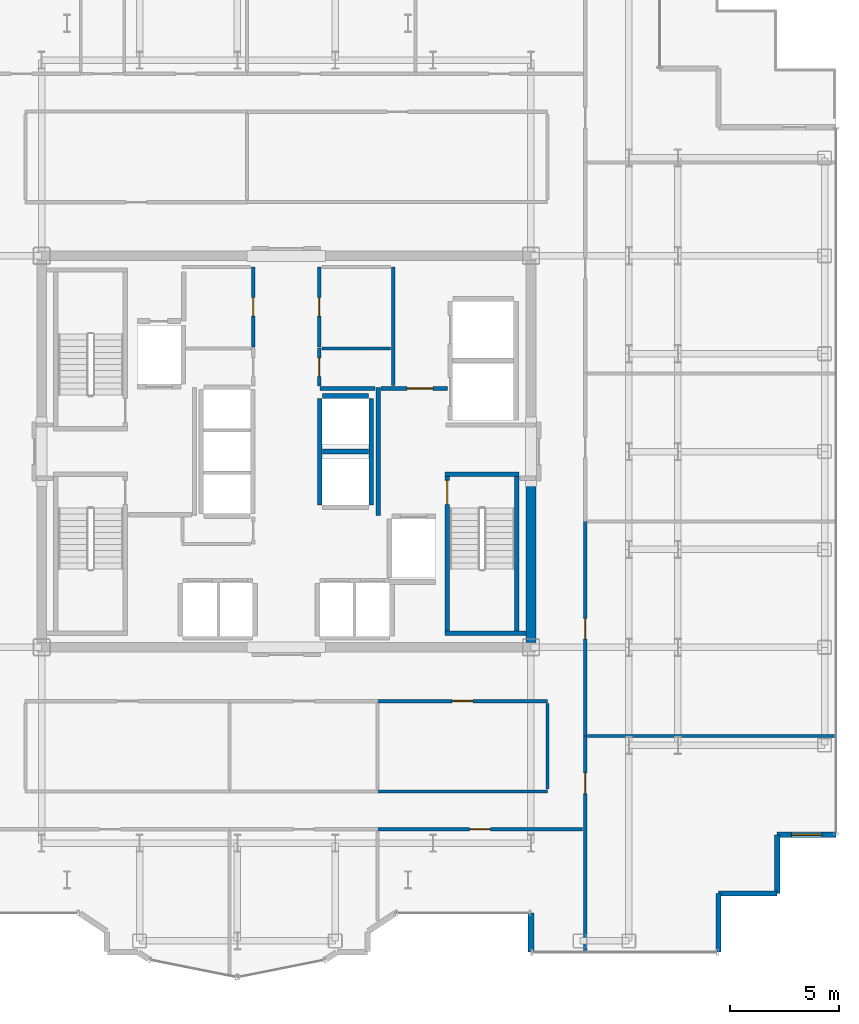
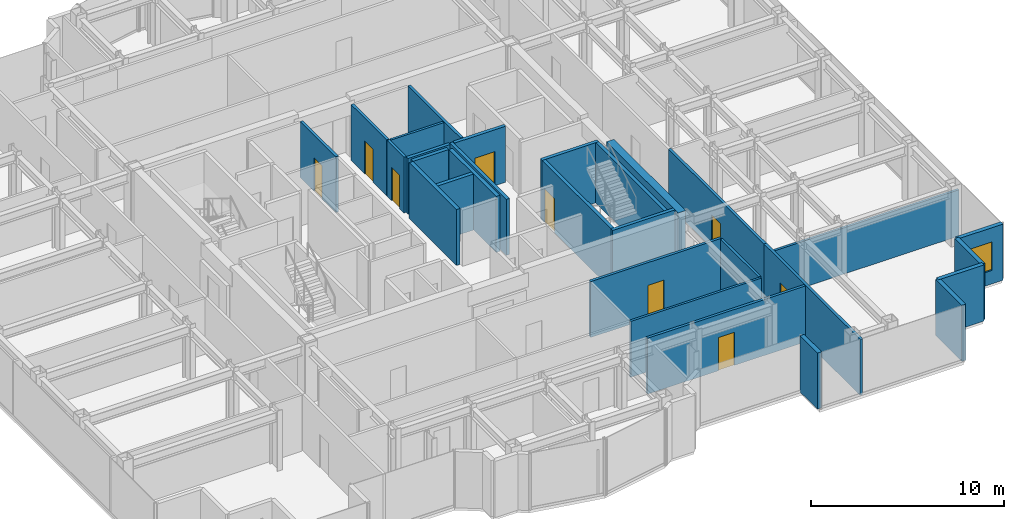
# One storey, part 16 of 20: 29 walls, 9 doors, 1 window, 10 openings.
"""IFC4 building model written with IfcOpenShell, lengths in metres."""

from ifc_helpers import new_model, si_unit, direction, frame, frame_2d, origin, place, context, subcontext, project, spatial, rectangle, extrude, source, transform, mapped, material, layer, layer_set, type_object, element, fill, save


model = new_model("IFC4")

# Units and contexts
model_context = context("Model", 3, precision=1e-05, world=origin(), true_north=direction((0.0, 1.0)))
body_context = subcontext(model_context, "Body", "Model", "MODEL_VIEW")
ifc_project = project(units=[si_unit("LENGTHUNIT", "METRE"), si_unit("AREAUNIT", "SQUARE_METRE"), si_unit("VOLUMEUNIT", "CUBIC_METRE"), si_unit("PLANEANGLEUNIT", "RADIAN"), si_unit("MASSUNIT", "GRAM", prefix="KILO")], contexts=[model_context])

# Site, building, storey
site_placement = place(None, origin())
site = spatial("IfcSite", under=ifc_project, at=site_placement, CompositionType="ELEMENT")
building_placement = place(site_placement, origin())
building = spatial("IfcBuilding", under=site, at=building_placement, Name="Nefas-Gora Pilgrimage Tower", CompositionType="ELEMENT")
storey_placement = place(building_placement, frame((0.0, 0.0, 221.800048828125)))
storey = spatial("IfcBuildingStorey", under=building, at=storey_placement, Name="L55", CompositionType="ELEMENT", Elevation=221.800048828125)

# Walls
ifc_material_1 = material(Name="Concrete C50/60", Category="concrete")
ifc_layer_1 = layer(ifc_material_1, 0.449951171875)
ifc_layer_set_1 = layer_set([ifc_layer_1], Name="Concrete C50/60")
wall_type_1 = type_object("IfcWallType", Name="SW-CORE-450", PredefinedType="SHEAR", material=ifc_layer_set_1)
shared_shape_1 = source(origin(), body_context, "Body", "SweptSolid", [
    extrude(rectangle(XDim=7.4248046875, YDim=0.449951171875, at=frame_2d((3.71240234375, 0.0))), origin(), (0.0, 0.0, 1.0), 3.800048828125),
])
wall_1_placement = place(storey_placement, frame((11.25, -8.77490234375, 0.0), z_axis=(0.0, 0.0, 1.0), x_axis=(0.0, 1.0, 0.0)))
element("IfcWall", 1, at=wall_1_placement, inside=storey, type_object=wall_type_1, Name="L55 Core Shear Wall E-South", PredefinedType="SHEAR", context=body_context, shape_type="MappedRepresentation", body=[
    mapped(shared_shape_1, transform((0.0, 0.0, 0.0), x_axis=(1.0, 0.0, 0.0), y_axis=(0.0, 1.0, 0.0), z_axis=(0.0, 0.0, 1.0), scale=1.0)),
])
ifc_material_2 = material(Name="Precast concrete C40/50", Category="concrete")
ifc_layer_2 = layer(ifc_material_2, 0.260009765625)
ifc_layer_set_2 = layer_set([ifc_layer_2], Name="Precast concrete C40/50")
wall_type_2 = type_object("IfcWallType", Name="EW-PORTAL-260", PredefinedType="SOLIDWALL", material=ifc_layer_set_2)
shared_shape_2 = source(origin(), body_context, "Body", "SweptSolid", [
    extrude(rectangle(XDim=1.800048828125, YDim=0.260009765625, at=frame_2d((0.89990234375, 0.0))), origin(), (0.0, 0.0, 1.0), 3.550048828125),
])
wall_2_placement = place(storey_placement, frame((11.25, -21.219970703125, 0.0), z_axis=(0.0, 0.0, 1.0), x_axis=(0.0, -1.0, 0.0)))
element("IfcWall", 2, at=wall_2_placement, inside=storey, type_object=wall_type_2, Name="L55 Lobe Shoulder Precast Spandrel Pier 1", PredefinedType="SOLIDWALL", context=body_context, shape_type="MappedRepresentation", body=[
    mapped(shared_shape_2, transform((0.0, 0.0, 0.0), x_axis=(1.0, 0.0, 0.0), y_axis=(0.0, 1.0, 0.0), z_axis=(0.0, 0.0, 1.0), scale=1.0)),
])
ifc_material_3 = material(Name="Precast concrete C45/55", Category="concrete")
ifc_layer_3 = layer(ifc_material_3, 0.239990234375)
ifc_layer_set_3 = layer_set([ifc_layer_3], Name="Precast concrete C45/55")
wall_type_3 = type_object("IfcWallType", Name="EW-SERR-240", PredefinedType="SHEAR", material=ifc_layer_set_3)
shared_shape_3 = source(origin(), body_context, "Body", "SweptSolid", [
    extrude(rectangle(XDim=2.699951171875, YDim=0.239990234375, at=frame_2d((1.35009765625, 0.0))), origin(), (0.0, 0.0, 1.0), 3.550048828125),
])
for number, where, z_axis, x_axis, name in (
    (3, (19.8701171875, -23.02001953125, 0.0), (0.0, 0.0, 1.0), (0.0, 1.0, 0.0), "L55 Serrated Corner Shear Pier Wall 2"),
    (4, (19.8701171875, -20.320068359375, 0.0), (0.0, 0.0, 1.0), (1.0, 0.0, 0.0), "L55 Serrated Corner Shear Pier Wall 3"),
    (5, (22.570068359375, -20.320068359375, 0.0), (0.0, 0.0, 1.0), (0.0, 1.0, 0.0), "L55 Serrated Corner Shear Pier Wall 4"),
):
    element("IfcWall", number, at=place(storey_placement, frame(where, z_axis=z_axis, x_axis=x_axis)), inside=storey, type_object=wall_type_3, Name=name, PredefinedType="SHEAR", context=body_context, shape_type="MappedRepresentation", body=[
        mapped(shared_shape_3, transform((0.0, 0.0, 0.0), x_axis=(1.0, 0.0, 0.0), y_axis=(0.0, 1.0, 0.0), z_axis=(0.0, 0.0, 1.0), scale=1.0)),
    ])

# Wall, opening, window
wall_3_placement = place(storey_placement, frame((22.570068359375, -17.6201171875, 0.0), z_axis=(0.0, 0.0, 1.0), x_axis=(1.0, 0.0, 0.0)))
wall_3 = element("IfcWall", 6, at=wall_3_placement, inside=storey, type_object=wall_type_3, Name="L55 Serrated Corner Shear Pier Wall 5", PredefinedType="SHEAR", context=body_context, shape_type="MappedRepresentation", body=[
    mapped(shared_shape_3, transform((0.0, 0.0, 0.0), x_axis=(1.0, 0.0, 0.0), y_axis=(0.0, 1.0, 0.0), z_axis=(0.0, 0.0, 1.0), scale=1.0)),
])
opening_1_placement = place(wall_3_placement, frame((0.64990234375, 0.0, 0.85009765625)))
opening_1 = element("IfcOpeningElement", 7, at=opening_1_placement, cuts=wall_3, Name="Opening W-V2", PredefinedType="OPENING", context=body_context, shape_type="SweptSolid", body=[
    extrude(rectangle(XDim=1.39990234375, YDim=1.800048828125, at=frame_2d((0.699951171875, 0.89990234375))), frame((0.0, 0.1298828125, 0.0), z_axis=(0.0, -1.0, 0.0), x_axis=(1.0, 0.0, 0.0)), (0.0, 0.0, 1.0), 0.260009765625),
])
ifc_material_4 = material(Name="Dark ceramic-fritted operable aluminium-glass window", Category="aluminium")
window_type = type_object("IfcWindowType", Name="WIN-VENT-1400x1800", PartitioningType="SINGLE_PANEL", PredefinedType="WINDOW", material=ifc_material_4)
shared_shape_4 = source(origin(), body_context, "Body", "SweptSolid", [
    extrude(rectangle(XDim=1.39990234375, YDim=1.800048828125, at=frame_2d((0.699951171875, 0.89990234375))), frame((0.0, 0.030029296875, 0.0), z_axis=(0.0, -1.0, 0.0), x_axis=(1.0, 0.0, 0.0)), (0.0, 0.0, 1.0), 0.06005859375),
])
window_placement = place(opening_1_placement, origin())
window = element("IfcWindow", 8, at=window_placement, inside=storey, type_object=window_type, Name="L55 Operable Parallel-Outswing Window 5", OverallHeight=1.800048828125, OverallWidth=1.39990234375, PartitioningType="SINGLE_PANEL", PredefinedType="WINDOW", context=body_context, shape_type="MappedRepresentation", body=[
    mapped(shared_shape_4, transform((0.0, 0.0, 0.0), x_axis=(1.0, 0.0, 0.0), y_axis=(0.0, 1.0, 0.0), z_axis=(0.0, 0.0, 1.0), scale=1.0)),
])
fill(opening_1, window)

# Wall
ifc_material_5 = material(Name="Concrete C45/55", Category="concrete")
ifc_layer_4 = layer(ifc_material_5, 0.199951171875)
ifc_layer_set_4 = layer_set([ifc_layer_4], Name="Concrete C45/55")
wall_type_4 = type_object("IfcWallType", Name="IW-STAIR-200", PredefinedType="SOLIDWALL", material=ifc_layer_set_4)
shared_shape_5 = source(origin(), body_context, "Body", "SweptSolid", [
    extrude(rectangle(XDim=3.39990234375, YDim=0.199951171875, at=frame_2d((1.699951171875, 0.0))), origin(), (0.0, 0.0, 1.0), 3.800048828125),
])
wall_4_placement = place(storey_placement, frame((7.300048828125, -1.050048828125, 0.0), z_axis=(0.0, 0.0, 1.0), x_axis=(1.0, 0.0, 0.0)))
element("IfcWall", 9, at=wall_4_placement, inside=storey, type_object=wall_type_4, Name="L55 Stairwell Shear Wall ST-02-near", PredefinedType="SOLIDWALL", context=body_context, shape_type="MappedRepresentation", body=[
    mapped(shared_shape_5, transform((0.0, 0.0, 0.0), x_axis=(1.0, 0.0, 0.0), y_axis=(0.0, 1.0, 0.0), z_axis=(0.0, 0.0, 1.0), scale=1.0)),
])

# Wall, opening, door
shared_shape_6 = source(origin(), body_context, "Body", "SweptSolid", [
    extrude(rectangle(XDim=7.10009765625, YDim=0.199951171875, at=frame_2d((3.550048828125, 0.0))), origin(), (0.0, 0.0, 1.0), 3.800048828125),
])
wall_5_placement = place(storey_placement, frame((7.39990234375, -1.14990234375, 0.0), z_axis=(0.0, 0.0, 1.0), x_axis=(0.0, -1.0, 0.0)))
wall_5 = element("IfcWall", 10, at=wall_5_placement, inside=storey, type_object=wall_type_4, Name="L55 Stairwell Shear Wall ST-02-left", PredefinedType="SOLIDWALL", context=body_context, shape_type="MappedRepresentation", body=[
    mapped(shared_shape_6, transform((0.0, 0.0, 0.0), x_axis=(1.0, 0.0, 0.0), y_axis=(0.0, 1.0, 0.0), z_axis=(0.0, 0.0, 1.0), scale=1.0)),
])
opening_2_placement = place(wall_5_placement, frame((0.179931640625, 0.0, 0.0)))
opening_2 = element("IfcOpeningElement", 11, at=opening_2_placement, cuts=wall_5, Name="Opening ID-ST1", PredefinedType="OPENING", context=body_context, shape_type="SweptSolid", body=[
    extrude(rectangle(XDim=1.10009765625, YDim=2.14990234375, at=frame_2d((0.550048828125, 1.074951171875))), frame((0.0, 0.10986328125, 0.0), z_axis=(0.0, -1.0, 0.0), x_axis=(1.0, 0.0, 0.0)), (0.0, 0.0, 1.0), 0.219970703125),
])
ifc_material_6 = material(Name="Painted galvanised steel fire stair door", Category="steel")
door_type_1 = type_object("IfcDoorType", Name="DR-INT-STAIR-1100", OperationType="NOTDEFINED", PredefinedType="DOOR", material=ifc_material_6)
shared_shape_7 = source(origin(), body_context, "Body", "SweptSolid", [
    extrude(rectangle(XDim=1.10009765625, YDim=2.14990234375, at=frame_2d((0.550048828125, 1.074951171875))), frame((0.0, 0.02490234375, 0.0), z_axis=(0.0, -1.0, 0.0), x_axis=(1.0, 0.0, 0.0)), (0.0, 0.0, 1.0), 0.050048828125),
])
door_1_placement = place(opening_2_placement, origin())
door_1 = element("IfcDoor", 12, at=door_1_placement, inside=storey, type_object=door_type_1, Name="L55 Protected Exit Stair Door ST-02", OperationType="SINGLE_SWING_RIGHT", OverallHeight=2.14990234375, OverallWidth=1.10009765625, PredefinedType="DOOR", context=body_context, shape_type="MappedRepresentation", body=[
    mapped(shared_shape_7, transform((0.0, 0.0, 0.0), x_axis=(1.0, 0.0, 0.0), y_axis=(0.0, 1.0, 0.0), z_axis=(0.0, 0.0, 1.0), scale=1.0)),
])
fill(opening_2, door_1)

# Walls
wall_6_placement = place(storey_placement, frame((10.60009765625, -1.14990234375, 0.0), z_axis=(0.0, 0.0, 1.0), x_axis=(0.0, -1.0, 0.0)))
element("IfcWall", 13, at=wall_6_placement, inside=storey, type_object=wall_type_4, Name="L55 Stairwell Shear Wall ST-02-right", PredefinedType="SOLIDWALL", context=body_context, shape_type="MappedRepresentation", body=[
    mapped(shared_shape_6, transform((0.0, 0.0, 0.0), x_axis=(1.0, 0.0, 0.0), y_axis=(0.0, 1.0, 0.0), z_axis=(0.0, 0.0, 1.0), scale=1.0)),
])
shared_shape_8 = source(origin(), body_context, "Body", "SweptSolid", [
    extrude(rectangle(XDim=3.72998046875, YDim=0.199951171875, at=frame_2d((1.864990234375, 0.0))), origin(), (0.0, 0.0, 1.0), 3.800048828125),
])
wall_7_placement = place(storey_placement, frame((7.300048828125, -8.35009765625, 0.0), z_axis=(0.0, 0.0, 1.0), x_axis=(1.0, 0.0, 0.0)))
element("IfcWall", 14, at=wall_7_placement, inside=storey, type_object=wall_type_4, Name="L55 Stairwell Shear Wall ST-02-far", PredefinedType="SOLIDWALL", context=body_context, shape_type="MappedRepresentation", body=[
    mapped(shared_shape_8, transform((0.0, 0.0, 0.0), x_axis=(1.0, 0.0, 0.0), y_axis=(0.0, 1.0, 0.0), z_axis=(0.0, 0.0, 1.0), scale=1.0)),
])
ifc_material_7 = material(Name="Concrete C40/50", Category="concrete")
ifc_layer_5 = layer(ifc_material_7, 0.219970703125)
ifc_layer_set_5 = layer_set([ifc_layer_5], Name="Concrete C40/50")
wall_type_5 = type_object("IfcWallType", Name="IW-SHAFT-220", PredefinedType="SOLIDWALL", material=ifc_layer_set_5)
shared_shape_9 = source(origin(), body_context, "Body", "SweptSolid", [
    extrude(rectangle(XDim=2.130126953125, YDim=0.219970703125, at=frame_2d((1.06494140625, 0.0))), origin(), (0.0, 0.0, 1.0), 3.534912109375),
])
for number, where, z_axis, x_axis, name in (
    (15, (1.659912109375, 0.0, 0.0), (0.0, 0.0, 1.0), (1.0, 0.0, 0.0), "L55 Hoistway Wall OBS-01-02-DIV"),
    (16, (3.7900390625, 2.56005859375, 0.0), (0.0, 0.0, 1.0), (-1.0, 0.0, 0.0), "L55 Hoistway Wall OBS-02-N"),
):
    element("IfcWall", number, at=place(storey_placement, frame(where, z_axis=z_axis, x_axis=x_axis)), inside=storey, type_object=wall_type_5, Name=name, PredefinedType="SOLIDWALL", context=body_context, shape_type="MappedRepresentation", body=[
        mapped(shared_shape_9, transform((0.0, 0.0, 0.0), x_axis=(1.0, 0.0, 0.0), y_axis=(0.0, 1.0, 0.0), z_axis=(0.0, 0.0, 1.0), scale=1.0)),
    ])
shared_shape_10 = source(origin(), body_context, "Body", "SweptSolid", [
    extrude(rectangle(XDim=4.89990234375, YDim=0.219970703125, at=frame_2d((2.449951171875, 0.0))), origin(), (0.0, 0.0, 1.0), 3.534912109375),
])
for number, where, z_axis, x_axis, name in (
    (17, (1.5400390625, 2.449951171875, 0.0), (0.0, 0.0, 1.0), (0.0, -1.0, 0.0), "L55 Hoistway Wall OBS-01-02-W"),
    (18, (3.909912109375, -2.449951171875, 0.0), (0.0, 0.0, 1.0), (0.0, 1.0, 0.0), "L55 Hoistway Wall OBS-01-02-E"),
):
    element("IfcWall", number, at=place(storey_placement, frame(where, z_axis=z_axis, x_axis=x_axis)), inside=storey, type_object=wall_type_5, Name=name, PredefinedType="SOLIDWALL", context=body_context, shape_type="MappedRepresentation", body=[
        mapped(shared_shape_10, transform((0.0, 0.0, 0.0), x_axis=(1.0, 0.0, 0.0), y_axis=(0.0, 1.0, 0.0), z_axis=(0.0, 0.0, 1.0), scale=1.0)),
    ])
ifc_material_8 = material(Name="Gypsum fire-rated shaftwall")
ifc_layer_6 = layer(ifc_material_8, 0.199951171875)
ifc_layer_set_6 = layer_set([ifc_layer_6], Name="Gypsum fire-rated shaftwall")
wall_type_6 = type_object("IfcWallType", Name="IW-FFLOB-200", PredefinedType="PARTITIONING", material=ifc_layer_set_6)
shared_shape_11 = source(origin(), body_context, "Body", "SweptSolid", [
    extrude(rectangle(XDim=5.89990234375, YDim=0.199951171875, at=frame_2d((2.949951171875, 0.0))), origin(), (0.0, 0.0, 1.0), 3.534912109375),
])
wall_8_placement = place(storey_placement, frame((4.219970703125, -2.949951171875, 0.0), z_axis=(0.0, 0.0, 1.0), x_axis=(0.0, 1.0, 0.0)))
element("IfcWall", 19, at=wall_8_placement, inside=storey, type_object=wall_type_6, Name="L55 FF Lobby East Inner Wall Wall 10", PredefinedType="PARTITIONING", context=body_context, shape_type="MappedRepresentation", body=[
    mapped(shared_shape_11, transform((0.0, 0.0, 0.0), x_axis=(1.0, 0.0, 0.0), y_axis=(0.0, 1.0, 0.0), z_axis=(0.0, 0.0, 1.0), scale=1.0)),
])

# Wall, opening, door
shared_shape_12 = source(origin(), body_context, "Body", "SweptSolid", [
    extrude(rectangle(XDim=3.039794921875, YDim=0.199951171875, at=frame_2d((1.52001953125, 0.0))), origin(), (0.0, 0.0, 1.0), 3.534912109375),
])
wall_9_placement = place(storey_placement, frame((4.360107421875, 2.89990234375, 0.0), z_axis=(0.0, 0.0, 1.0), x_axis=(1.0, 0.0, 0.0)))
wall_9 = element("IfcWall", 20, at=wall_9_placement, inside=storey, type_object=wall_type_6, Name="L55 FF Lobby East North Wall Wall 12", PredefinedType="PARTITIONING", context=body_context, shape_type="MappedRepresentation", body=[
    mapped(shared_shape_12, transform((0.0, 0.0, 0.0), x_axis=(1.0, 0.0, 0.0), y_axis=(0.0, 1.0, 0.0), z_axis=(0.0, 0.0, 1.0), scale=1.0)),
])
opening_3_placement = place(wall_9_placement, frame((1.18994140625, 0.0, 0.0)))
opening_3 = element("IfcOpeningElement", 21, at=opening_3_placement, cuts=wall_9, Name="Opening ID-PL1", PredefinedType="OPENING", context=body_context, shape_type="SweptSolid", body=[
    extrude(rectangle(XDim=1.199951171875, YDim=2.14990234375, at=frame_2d((0.60009765625, 1.074951171875))), frame((0.0, 0.10986328125, 0.0), z_axis=(0.0, -1.0, 0.0), x_axis=(1.0, 0.0, 0.0)), (0.0, 0.0, 1.0), 0.219970703125),
])
ifc_material_9 = material(Name="Heavy-duty steel plant room fire door", Category="steel")
door_type_2 = type_object("IfcDoorType", Name="DR-INT-PLANT-1200", OperationType="NOTDEFINED", PredefinedType="DOOR", material=ifc_material_9)
shared_shape_13 = source(origin(), body_context, "Body", "SweptSolid", [
    extrude(rectangle(XDim=1.199951171875, YDim=2.14990234375, at=frame_2d((0.60009765625, 1.074951171875))), frame((0.0, 0.02490234375, 0.0), z_axis=(0.0, -1.0, 0.0), x_axis=(1.0, 0.0, 0.0)), (0.0, 0.0, 1.0), 0.050048828125),
])
door_2_placement = place(opening_3_placement, origin())
door_2 = element("IfcDoor", 22, at=door_2_placement, inside=storey, type_object=door_type_2, Name="L55 Service Lift Lobby Door Door 4", OperationType="SINGLE_SWING_RIGHT", OverallHeight=2.14990234375, OverallWidth=1.199951171875, PredefinedType="DOOR", context=body_context, shape_type="MappedRepresentation", body=[
    mapped(shared_shape_13, transform((0.0, 0.0, 0.0), x_axis=(1.0, 0.0, 0.0), y_axis=(0.0, 1.0, 0.0), z_axis=(0.0, 0.0, 1.0), scale=1.0)),
])
fill(opening_3, door_2)

# Walls
ifc_material_10 = material(Name="Gypsum twin-stud partition")
ifc_layer_7 = layer(ifc_material_10, 0.139892578125)
ifc_layer_set_7 = layer_set([ifc_layer_7], Name="Gypsum twin-stud partition")
wall_type_7 = type_object("IfcWallType", Name="IW-UNIT-140", PredefinedType="PARTITIONING", material=ifc_layer_set_7)
shared_shape_14 = source(origin(), body_context, "Body", "SweptSolid", [
    extrude(rectangle(XDim=3.150146484375, YDim=0.139892578125, at=frame_2d((1.5751953125, 0.0))), origin(), (0.0, 0.0, 1.0), 3.534912109375),
])
wall_10_placement = place(storey_placement, frame((1.639892578125, 4.75, 0.0), z_axis=(0.0, 0.0, 1.0), x_axis=(1.0, 0.0, 0.0)))
element("IfcWall", 23, at=wall_10_placement, inside=storey, type_object=wall_type_7, Name="L55 Clean Blanket and Robe Store Partition Wall 23", PredefinedType="PARTITIONING", context=body_context, shape_type="MappedRepresentation", body=[
    mapped(shared_shape_14, transform((0.0, 0.0, 0.0), x_axis=(1.0, 0.0, 0.0), y_axis=(0.0, 1.0, 0.0), z_axis=(0.0, 0.0, 1.0), scale=1.0)),
])
shared_shape_15 = source(origin(), body_context, "Body", "SweptSolid", [
    extrude(rectangle(XDim=3.929931640625, YDim=0.139892578125, at=frame_2d((1.96484375, 0.0))), origin(), (0.0, 0.0, 1.0), 3.534912109375),
])
wall_11_placement = place(storey_placement, frame((12.0, -15.52001953125, 0.0), z_axis=(0.0, 0.0, 1.0), x_axis=(0.0, 1.0, 0.0)))
element("IfcWall", 24, at=wall_11_placement, inside=storey, type_object=wall_type_7, Name="L55 Pilgrim Contemplative Lounge Partition Wall 77", PredefinedType="PARTITIONING", context=body_context, shape_type="MappedRepresentation", body=[
    mapped(shared_shape_15, transform((0.0, 0.0, 0.0), x_axis=(1.0, 0.0, 0.0), y_axis=(0.0, 1.0, 0.0), z_axis=(0.0, 0.0, 1.0), scale=1.0)),
])
shared_shape_16 = source(origin(), body_context, "Body", "SweptSolid", [
    extrude(rectangle(XDim=2.52001953125, YDim=0.199951171875, at=frame_2d((1.260009765625, 0.0))), origin(), (0.0, 0.0, 1.0), 3.534912109375),
])
wall_12_placement = place(storey_placement, frame((1.56005859375, 2.89990234375, 0.0), z_axis=(0.0, 0.0, 1.0), x_axis=(1.0, 0.0, 0.0)))
element("IfcWall", 25, at=wall_12_placement, inside=storey, type_object=wall_type_6, Name="L55 FF Lobby East North Wall Wall 11", PredefinedType="PARTITIONING", context=body_context, shape_type="MappedRepresentation", body=[
    mapped(shared_shape_16, transform((0.0, 0.0, 0.0), x_axis=(1.0, 0.0, 0.0), y_axis=(0.0, 1.0, 0.0), z_axis=(0.0, 0.0, 1.0), scale=1.0)),
])
ifc_material_11 = material(Name="Gypsum acoustic stud partition")
ifc_layer_8 = layer(ifc_material_11, 0.159912109375)
ifc_layer_set_8 = layer_set([ifc_layer_8], Name="Gypsum acoustic stud partition")
wall_type_8 = type_object("IfcWallType", Name="IW-CORR-160", PredefinedType="PARTITIONING", material=ifc_layer_set_8)
shared_shape_17 = source(origin(), body_context, "Body", "SweptSolid", [
    extrude(rectangle(XDim=5.449951171875, YDim=0.159912109375, at=frame_2d((2.72509765625, 0.0))), origin(), (0.0, 0.0, 1.0), 3.534912109375),
])
wall_13_placement = place(storey_placement, frame((4.919921875, 3.0400390625, 0.0), z_axis=(0.0, 0.0, 1.0), x_axis=(0.0, 1.0, 0.0)))
element("IfcWall", 26, at=wall_13_placement, inside=storey, type_object=wall_type_8, Name="L55 Service Lift Lobby West Wall Wall 17", PredefinedType="PARTITIONING", context=body_context, shape_type="MappedRepresentation", body=[
    mapped(shared_shape_17, transform((0.0, 0.0, 0.0), x_axis=(1.0, 0.0, 0.0), y_axis=(0.0, 1.0, 0.0), z_axis=(0.0, 0.0, 1.0), scale=1.0)),
])

# Wall, opening, door
shared_shape_18 = source(origin(), body_context, "Body", "SweptSolid", [
    extrude(rectangle(XDim=1.75, YDim=0.159912109375, at=frame_2d((0.875, 0.0))), origin(), (0.0, 0.0, 1.0), 3.534912109375),
])
wall_14_placement = place(storey_placement, frame((1.52001953125, 3.010009765625, 0.0), z_axis=(0.0, 0.0, 1.0), x_axis=(0.0, 1.0, 0.0)))
wall_14 = element("IfcWall", 27, at=wall_14_placement, inside=storey, type_object=wall_type_8, Name="L55 Clean Blanket and Robe Store Wall 22", PredefinedType="PARTITIONING", context=body_context, shape_type="MappedRepresentation", body=[
    mapped(shared_shape_18, transform((0.0, 0.0, 0.0), x_axis=(1.0, 0.0, 0.0), y_axis=(0.0, 1.0, 0.0), z_axis=(0.0, 0.0, 1.0), scale=1.0)),
])
opening_4_placement = place(wall_14_placement, frame((0.449951171875, 0.0, 0.0)))
opening_4 = element("IfcOpeningElement", 28, at=opening_4_placement, cuts=wall_14, Name="Opening ID-BT1", PredefinedType="OPENING", context=body_context, shape_type="SweptSolid", body=[
    extrude(rectangle(XDim=0.85009765625, YDim=2.10009765625, at=frame_2d((0.425048828125, 1.050048828125))), frame((0.0, 0.08984375, 0.0), z_axis=(0.0, -1.0, 0.0), x_axis=(1.0, 0.0, 0.0)), (0.0, 0.0, 1.0), 0.179931640625),
])
ifc_material_12 = material(Name="Moisture-resistant fire-rated timber door", Category="wood")
door_type_3 = type_object("IfcDoorType", Name="DR-INT-BATH-850", OperationType="NOTDEFINED", PredefinedType="DOOR", material=ifc_material_12)
shared_shape_19 = source(origin(), body_context, "Body", "SweptSolid", [
    extrude(rectangle(XDim=0.85009765625, YDim=2.10009765625, at=frame_2d((0.425048828125, 1.050048828125))), frame((0.0, 0.02490234375, 0.0), z_axis=(0.0, -1.0, 0.0), x_axis=(1.0, 0.0, 0.0)), (0.0, 0.0, 1.0), 0.050048828125),
])
door_3_placement = place(opening_4_placement, origin())
door_3 = element("IfcDoor", 29, at=door_3_placement, inside=storey, type_object=door_type_3, Name="L55 Clean Blanket and Robe Store Door 9", OperationType="SINGLE_SWING_LEFT", OverallHeight=2.10009765625, OverallWidth=0.85009765625, PredefinedType="DOOR", context=body_context, shape_type="MappedRepresentation", body=[
    mapped(shared_shape_19, transform((0.0, 0.0, 0.0), x_axis=(1.0, 0.0, 0.0), y_axis=(0.0, 1.0, 0.0), z_axis=(0.0, 0.0, 1.0), scale=1.0)),
])
fill(opening_4, door_3)

shared_shape_20 = source(origin(), body_context, "Body", "SweptSolid", [
    extrude(rectangle(XDim=3.679931640625, YDim=0.159912109375, at=frame_2d((1.83984375, 0.0))), origin(), (0.0, 0.0, 1.0), 3.534912109375),
])
wall_15_placement = place(storey_placement, frame((-1.52001953125, 4.81005859375, 0.0), z_axis=(0.0, 0.0, 1.0), x_axis=(0.0, 1.0, 0.0)))
wall_15 = element("IfcWall", 30, at=wall_15_placement, inside=storey, type_object=wall_type_8, Name="L55 Archival Supply Store Wall 20", PredefinedType="PARTITIONING", context=body_context, shape_type="MappedRepresentation", body=[
    mapped(shared_shape_20, transform((0.0, 0.0, 0.0), x_axis=(1.0, 0.0, 0.0), y_axis=(0.0, 1.0, 0.0), z_axis=(0.0, 0.0, 1.0), scale=1.0)),
])
opening_5_placement = place(wall_15_placement, frame((1.4150390625, 0.0, 0.0)))
opening_5 = element("IfcOpeningElement", 31, at=opening_5_placement, cuts=wall_15, Name="Opening ID-BT1", PredefinedType="OPENING", context=body_context, shape_type="SweptSolid", body=[
    extrude(rectangle(XDim=0.85009765625, YDim=2.10009765625, at=frame_2d((0.425048828125, 1.050048828125))), frame((0.0, 0.08984375, 0.0), z_axis=(0.0, -1.0, 0.0), x_axis=(1.0, 0.0, 0.0)), (0.0, 0.0, 1.0), 0.179931640625),
])
door_4_placement = place(opening_5_placement, origin())
door_4 = element("IfcDoor", 32, at=door_4_placement, inside=storey, type_object=door_type_3, Name="L55 Archival Supply Store Door 8", OperationType="SINGLE_SWING_RIGHT", OverallHeight=2.10009765625, OverallWidth=0.85009765625, PredefinedType="DOOR", context=body_context, shape_type="MappedRepresentation", body=[
    mapped(shared_shape_19, transform((0.0, 0.0, 0.0), x_axis=(1.0, 0.0, 0.0), y_axis=(0.0, 1.0, 0.0), z_axis=(0.0, 0.0, 1.0), scale=1.0)),
])
fill(opening_5, door_4)

wall_16_placement = place(storey_placement, frame((1.52001953125, 4.81005859375, 0.0), z_axis=(0.0, 0.0, 1.0), x_axis=(0.0, 1.0, 0.0)))
wall_16 = element("IfcWall", 33, at=wall_16_placement, inside=storey, type_object=wall_type_8, Name="L55 Amenity Supply Store Wall 24", PredefinedType="PARTITIONING", context=body_context, shape_type="MappedRepresentation", body=[
    mapped(shared_shape_20, transform((0.0, 0.0, 0.0), x_axis=(1.0, 0.0, 0.0), y_axis=(0.0, 1.0, 0.0), z_axis=(0.0, 0.0, 1.0), scale=1.0)),
])
opening_6_placement = place(wall_16_placement, frame((1.4150390625, 0.0, 0.0)))
opening_6 = element("IfcOpeningElement", 34, at=opening_6_placement, cuts=wall_16, Name="Opening ID-BT1", PredefinedType="OPENING", context=body_context, shape_type="SweptSolid", body=[
    extrude(rectangle(XDim=0.85009765625, YDim=2.10009765625, at=frame_2d((0.425048828125, 1.050048828125))), frame((0.0, 0.08984375, 0.0), z_axis=(0.0, -1.0, 0.0), x_axis=(1.0, 0.0, 0.0)), (0.0, 0.0, 1.0), 0.179931640625),
])
door_5_placement = place(opening_6_placement, origin())
door_5 = element("IfcDoor", 35, at=door_5_placement, inside=storey, type_object=door_type_3, Name="L55 Amenity Supply Store Door 10", OperationType="SINGLE_SWING_RIGHT", OverallHeight=2.10009765625, OverallWidth=0.85009765625, PredefinedType="DOOR", context=body_context, shape_type="MappedRepresentation", body=[
    mapped(shared_shape_19, transform((0.0, 0.0, 0.0), x_axis=(1.0, 0.0, 0.0), y_axis=(0.0, 1.0, 0.0), z_axis=(0.0, 0.0, 1.0), scale=1.0)),
])
fill(opening_6, door_5)

# Wall
shared_shape_21 = source(origin(), body_context, "Body", "SweptSolid", [
    extrude(rectangle(XDim=11.429931640625, YDim=0.139892578125, at=frame_2d((5.71484375, 0.0))), origin(), (0.0, 0.0, 1.0), 2.925048828125),
])
wall_17_placement = place(storey_placement, frame((13.860107421875, -13.077392578125, 0.0), z_axis=(0.0, 0.0, 1.0), x_axis=(1.0, 0.0, 0.0)))
element("IfcWall", 36, at=wall_17_placement, inside=storey, type_object=wall_type_7, Name="L55 Pilgrim Fellowship Seminar Room Partition Wall 42", PredefinedType="PARTITIONING", context=body_context, shape_type="MappedRepresentation", body=[
    mapped(shared_shape_21, transform((0.0, 0.0, 0.0), x_axis=(1.0, 0.0, 0.0), y_axis=(0.0, 1.0, 0.0), z_axis=(0.0, 0.0, 1.0), scale=1.0)),
])

# Wall, opening, door
shared_shape_22 = source(origin(), body_context, "Body", "SweptSolid", [
    extrude(rectangle(XDim=9.892333984375, YDim=0.159912109375, at=frame_2d((4.9462890625, 0.0))), origin(), (0.0, 0.0, 1.0), 3.534912109375),
])
wall_18_placement = place(storey_placement, frame((13.739990234375, -13.08740234375, 0.0), z_axis=(0.0, 0.0, 1.0), x_axis=(0.0, 1.0, 0.0)))
wall_18 = element("IfcWall", 37, at=wall_18_placement, inside=storey, type_object=wall_type_8, Name="L55 Pilgrim Fellowship Seminar Room Partition Wall 41", PredefinedType="PARTITIONING", context=body_context, shape_type="MappedRepresentation", body=[
    mapped(shared_shape_22, transform((0.0, 0.0, 0.0), x_axis=(1.0, 0.0, 0.0), y_axis=(0.0, 1.0, 0.0), z_axis=(0.0, 0.0, 1.0), scale=1.0)),
])
opening_7_placement = place(wall_18_placement, frame((4.47119140625, 0.0, 0.0)))
opening_7 = element("IfcOpeningElement", 38, at=opening_7_placement, cuts=wall_18, Name="Opening ID-GR1", PredefinedType="OPENING", context=body_context, shape_type="SweptSolid", body=[
    extrude(rectangle(XDim=0.949951171875, YDim=2.10009765625, at=frame_2d((0.47509765625, 1.050048828125))), frame((0.0, 0.08984375, 0.0), z_axis=(0.0, -1.0, 0.0), x_axis=(1.0, 0.0, 0.0)), (0.0, 0.0, 1.0), 0.179931640625),
])
ifc_material_13 = material(Name="Solid core oak fire-rated guest entrance door")
door_type_4 = type_object("IfcDoorType", Name="DR-INT-GUEST-950", OperationType="NOTDEFINED", PredefinedType="DOOR", material=ifc_material_13)
shared_shape_23 = source(origin(), body_context, "Body", "SweptSolid", [
    extrude(rectangle(XDim=0.949951171875, YDim=2.10009765625, at=frame_2d((0.47509765625, 1.050048828125))), frame((0.0, 0.02490234375, 0.0), z_axis=(0.0, -1.0, 0.0), x_axis=(1.0, 0.0, 0.0)), (0.0, 0.0, 1.0), 0.050048828125),
])
door_6_placement = place(opening_7_placement, origin())
door_6 = element("IfcDoor", 39, at=door_6_placement, inside=storey, type_object=door_type_4, Name="L55 Pilgrim Fellowship Seminar Room Door 18", OperationType="SINGLE_SWING_RIGHT", OverallHeight=2.10009765625, OverallWidth=0.949951171875, PredefinedType="DOOR", context=body_context, shape_type="MappedRepresentation", body=[
    mapped(shared_shape_23, transform((0.0, 0.0, 0.0), x_axis=(1.0, 0.0, 0.0), y_axis=(0.0, 1.0, 0.0), z_axis=(0.0, 0.0, 1.0), scale=1.0)),
])
fill(opening_7, door_6)

shared_shape_24 = source(origin(), body_context, "Body", "SweptSolid", [
    extrude(rectangle(XDim=9.95263671875, YDim=0.159912109375, at=frame_2d((4.976318359375, 0.0))), origin(), (0.0, 0.0, 1.0), 3.534912109375),
])
wall_19_placement = place(storey_placement, frame((13.739990234375, -23.0400390625, 0.0), z_axis=(0.0, 0.0, 1.0), x_axis=(0.0, 1.0, 0.0)))
wall_19 = element("IfcWall", 40, at=wall_19_placement, inside=storey, type_object=wall_type_8, Name="L55 Pilgrim Fellowship Seminar Room Partition Wall 44", PredefinedType="PARTITIONING", context=body_context, shape_type="MappedRepresentation", body=[
    mapped(shared_shape_24, transform((0.0, 0.0, 0.0), x_axis=(1.0, 0.0, 0.0), y_axis=(0.0, 1.0, 0.0), z_axis=(0.0, 0.0, 1.0), scale=1.0)),
])
opening_8_placement = place(wall_19_placement, frame((7.316162109375, 0.0, 0.0)))
opening_8 = element("IfcOpeningElement", 41, at=opening_8_placement, cuts=wall_19, Name="Opening ID-GR1", PredefinedType="OPENING", context=body_context, shape_type="SweptSolid", body=[
    extrude(rectangle(XDim=0.949951171875, YDim=2.10009765625, at=frame_2d((0.47509765625, 1.050048828125))), frame((0.0, 0.08984375, 0.0), z_axis=(0.0, -1.0, 0.0), x_axis=(1.0, 0.0, 0.0)), (0.0, 0.0, 1.0), 0.179931640625),
])
door_7_placement = place(opening_8_placement, origin())
door_7 = element("IfcDoor", 42, at=door_7_placement, inside=storey, type_object=door_type_4, Name="L55 Pilgrim Fellowship Seminar Room Door 19", OperationType="SINGLE_SWING_LEFT", OverallHeight=2.10009765625, OverallWidth=0.949951171875, PredefinedType="DOOR", context=body_context, shape_type="MappedRepresentation", body=[
    mapped(shared_shape_23, transform((0.0, 0.0, 0.0), x_axis=(1.0, 0.0, 0.0), y_axis=(0.0, 1.0, 0.0), z_axis=(0.0, 0.0, 1.0), scale=1.0)),
])
fill(opening_8, door_7)

shared_shape_25 = source(origin(), body_context, "Body", "SweptSolid", [
    extrude(rectangle(XDim=9.425048828125, YDim=0.159912109375, at=frame_2d((4.71240234375, 0.0))), origin(), (0.0, 0.0, 1.0), 3.534912109375),
])
wall_20_placement = place(storey_placement, frame((4.195068359375, -17.3701171875, 0.0), z_axis=(0.0, 0.0, 1.0), x_axis=(1.0, 0.0, 0.0)))
wall_20 = element("IfcWall", 43, at=wall_20_placement, inside=storey, type_object=wall_type_8, Name="L55 Pilgrim Contemplative Lounge Partition Wall 74", PredefinedType="PARTITIONING", context=body_context, shape_type="MappedRepresentation", body=[
    mapped(shared_shape_25, transform((0.0, 0.0, 0.0), x_axis=(1.0, 0.0, 0.0), y_axis=(0.0, 1.0, 0.0), z_axis=(0.0, 0.0, 1.0), scale=1.0)),
])
opening_9_placement = place(wall_20_placement, frame((4.237548828125, 0.0, 0.0)))
opening_9 = element("IfcOpeningElement", 44, at=opening_9_placement, cuts=wall_20, Name="Opening ID-GR1", PredefinedType="OPENING", context=body_context, shape_type="SweptSolid", body=[
    extrude(rectangle(XDim=0.949951171875, YDim=2.10009765625, at=frame_2d((0.47509765625, 1.050048828125))), frame((0.0, 0.08984375, 0.0), z_axis=(0.0, -1.0, 0.0), x_axis=(1.0, 0.0, 0.0)), (0.0, 0.0, 1.0), 0.179931640625),
])
door_8_placement = place(opening_9_placement, origin())
door_8 = element("IfcDoor", 45, at=door_8_placement, inside=storey, type_object=door_type_4, Name="L55 Pilgrim Contemplative Lounge Door 33", OperationType="SINGLE_SWING_LEFT", OverallHeight=2.10009765625, OverallWidth=0.949951171875, PredefinedType="DOOR", context=body_context, shape_type="MappedRepresentation", body=[
    mapped(shared_shape_23, transform((0.0, 0.0, 0.0), x_axis=(1.0, 0.0, 0.0), y_axis=(0.0, 1.0, 0.0), z_axis=(0.0, 0.0, 1.0), scale=1.0)),
])
fill(opening_9, door_8)

shared_shape_26 = source(origin(), body_context, "Body", "SweptSolid", [
    extrude(rectangle(XDim=7.81494140625, YDim=0.159912109375, at=frame_2d((3.907470703125, 0.0))), origin(), (0.0, 0.0, 1.0), 3.534912109375),
])
wall_21_placement = place(storey_placement, frame((4.195068359375, -11.469970703125, 0.0), z_axis=(0.0, 0.0, 1.0), x_axis=(1.0, 0.0, 0.0)))
wall_21 = element("IfcWall", 46, at=wall_21_placement, inside=storey, type_object=wall_type_8, Name="L55 Pilgrim Contemplative Lounge Partition Wall 75", PredefinedType="PARTITIONING", context=body_context, shape_type="MappedRepresentation", body=[
    mapped(shared_shape_26, transform((0.0, 0.0, 0.0), x_axis=(1.0, 0.0, 0.0), y_axis=(0.0, 1.0, 0.0), z_axis=(0.0, 0.0, 1.0), scale=1.0)),
])
opening_10_placement = place(wall_21_placement, frame((3.4326171875, 0.0, 0.0)))
opening_10 = element("IfcOpeningElement", 47, at=opening_10_placement, cuts=wall_21, Name="Opening ID-GR1", PredefinedType="OPENING", context=body_context, shape_type="SweptSolid", body=[
    extrude(rectangle(XDim=0.949951171875, YDim=2.10009765625, at=frame_2d((0.47509765625, 1.050048828125))), frame((0.0, 0.08984375, 0.0), z_axis=(0.0, -1.0, 0.0), x_axis=(1.0, 0.0, 0.0)), (0.0, 0.0, 1.0), 0.179931640625),
])
door_9_placement = place(opening_10_placement, origin())
door_9 = element("IfcDoor", 48, at=door_9_placement, inside=storey, type_object=door_type_4, Name="L55 Pilgrim Contemplative Lounge Door 34", OperationType="SINGLE_SWING_RIGHT", OverallHeight=2.10009765625, OverallWidth=0.949951171875, PredefinedType="DOOR", context=body_context, shape_type="MappedRepresentation", body=[
    mapped(shared_shape_23, transform((0.0, 0.0, 0.0), x_axis=(1.0, 0.0, 0.0), y_axis=(0.0, 1.0, 0.0), z_axis=(0.0, 0.0, 1.0), scale=1.0)),
])
fill(opening_10, door_9)

# Wall
shared_shape_27 = source(origin(), body_context, "Body", "SweptSolid", [
    extrude(rectangle(XDim=7.81494140625, YDim=0.139892578125, at=frame_2d((3.907470703125, 0.0))), origin(), (0.0, 0.0, 1.0), 3.534912109375),
])
wall_22_placement = place(storey_placement, frame((4.195068359375, -15.6298828125, 0.0), z_axis=(0.0, 0.0, 1.0), x_axis=(1.0, 0.0, 0.0)))
element("IfcWall", 49, at=wall_22_placement, inside=storey, type_object=wall_type_7, Name="L55 Pilgrim Contemplative Lounge Partition Wall 76", PredefinedType="PARTITIONING", context=body_context, shape_type="MappedRepresentation", body=[
    mapped(shared_shape_27, transform((0.0, 0.0, 0.0), x_axis=(1.0, 0.0, 0.0), y_axis=(0.0, 1.0, 0.0), z_axis=(0.0, 0.0, 1.0), scale=1.0)),
])

save(model, "model.ifc")
